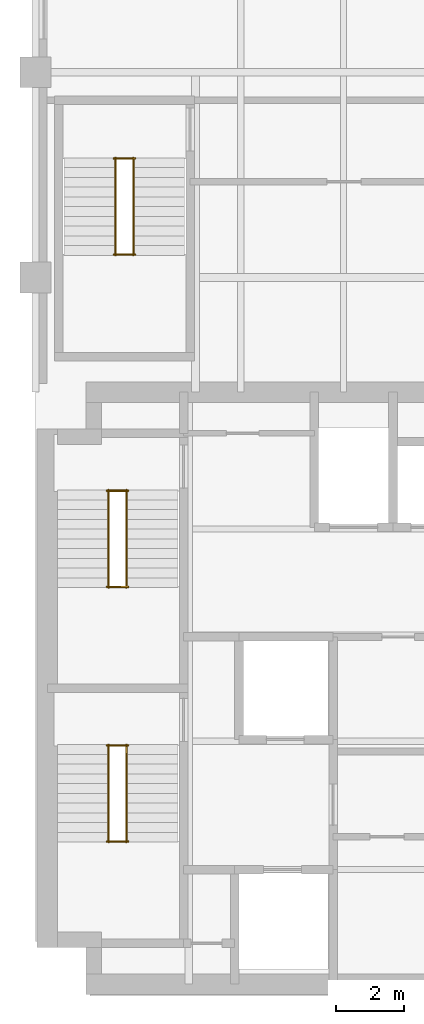
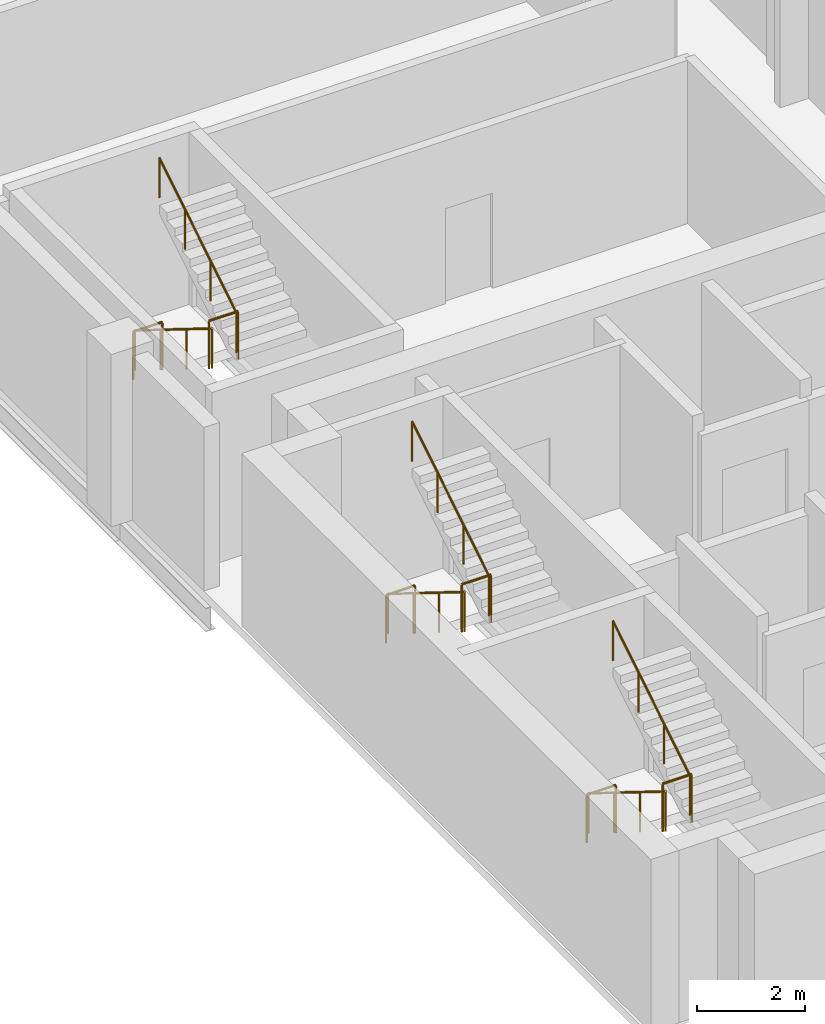
# One storey, part 6 of 6: 12 railings.
"""IFC4 building model written with IfcOpenShell, lengths in metres."""

import ifcopenshell
import ifcopenshell.guid

model = None  # the IFC model being written
_history = None  # IfcOwnerHistory: only IFC2X3 demands one
_inside = {}  # id of a spatial element -> (the spatial element, [elements in it])
_under = {}  # id of a project, library or spatial element -> (it, [spatial elements below it])
_declared = {}  # id of a project -> (the project, [libraries it declares])
_typed = {}  # id of a type object -> (the type object, [elements of that type])
_made_of = {}  # id of a material, layer set ... -> (it, [elements and type objects made of it])


def new_model(schema):
    """Start an empty IFC model of exactly this schema.

    Asked for "IFC4X3", IfcOpenShell would pick the latest addendum, in which some entities
    have other attributes; the version numbers below select the first issue.
    IFC2X3 requires an IfcOwnerHistory on every rooted entity: one is made here for all.
    """
    global model, _history
    if schema == "IFC4X3":
        model = ifcopenshell.file(schema_version=(4, 3, 0, 0))
    else:
        model = ifcopenshell.file(schema=schema)
    _inside.clear()
    _under.clear()
    _declared.clear()
    _typed.clear()
    _made_of.clear()
    _history = None
    if model.schema == "IFC2X3":
        org = make("IfcOrganization", Name="unknown")
        user = make(
            "IfcPersonAndOrganization",
            ThePerson=make("IfcPerson", FamilyName="unknown"),
            TheOrganization=org,
        )
        app = make(
            "IfcApplication",
            ApplicationDeveloper=org,
            Version="unknown",
            ApplicationFullName="unknown",
            ApplicationIdentifier="unknown",
        )
        _history = make(
            "IfcOwnerHistory",
            OwningUser=user,
            OwningApplication=app,
            ChangeAction="ADDED",
            CreationDate=0,
        )
    return model


def make(cls, **values):
    """One entity of the class cls with the attributes given. An attribute that is None is left unset."""
    return model.create_entity(
        cls, **{name: value for name, value in values.items() if value is not None}
    )


def rooted(cls, **values):
    """An entity with a GlobalId (a new one), such as an element, a storey or a relation."""
    return make(cls, GlobalId=ifcopenshell.guid.new(), OwnerHistory=_history, **values)


def si_unit(unit_type, name, prefix=None):
    """IfcSIUnit, for example si_unit("LENGTHUNIT", "METRE", prefix="MILLI")."""
    return make("IfcSIUnit", UnitType=unit_type, Prefix=prefix, Name=name)


def assignment(units):
    """IfcUnitAssignment: the units of a project."""
    return None if units is None else make("IfcUnitAssignment", Units=units)


def point(xyz):
    """IfcCartesianPoint."""
    return None if xyz is None else make("IfcCartesianPoint", Coordinates=xyz)


def direction(xyz):
    """IfcDirection."""
    return None if xyz is None else make("IfcDirection", DirectionRatios=xyz)


def frame(location, z_axis=None, x_axis=None):
    """IfcAxis2Placement3D, a coordinate frame: its origin and axes. An axis left out is left unset."""
    return make(
        "IfcAxis2Placement3D",
        Location=point(location),
        Axis=direction(z_axis),
        RefDirection=direction(x_axis),
    )


def frame_2d(location, x_axis=None):
    """IfcAxis2Placement2D, a coordinate frame in the plane: its origin and x axis."""
    return make(
        "IfcAxis2Placement2D", Location=point(location), RefDirection=direction(x_axis)
    )


def origin():
    """The frame at (0, 0, 0) with its axes left unset."""
    return frame((0.0, 0.0, 0.0))


def origin_2d():
    """The frame at (0, 0) in the plane with its x axis left unset."""
    return frame_2d((0.0, 0.0))


def place(relative_to, where):
    """IfcLocalPlacement: puts the frame where relative to a parent placement (None: the world)."""
    return make(
        "IfcLocalPlacement", PlacementRelTo=relative_to, RelativePlacement=where
    )


def context(
    kind, dimensions, precision=None, world=None, true_north=None, identifier=None
):
    """IfcGeometricRepresentationContext, for example the 3D "Model" context."""
    return make(
        "IfcGeometricRepresentationContext",
        ContextIdentifier=identifier,
        ContextType=kind,
        CoordinateSpaceDimension=dimensions,
        Precision=precision,
        WorldCoordinateSystem=world,
        TrueNorth=true_north,
    )


def subcontext(parent, identifier, kind, view, scale=None):
    """IfcGeometricRepresentationSubContext, for example "Body" below "Model"."""
    return make(
        "IfcGeometricRepresentationSubContext",
        ContextIdentifier=identifier,
        ContextType=kind,
        ParentContext=parent,
        TargetScale=scale,
        TargetView=view,
    )


def project(units=None, contexts=None):
    """IfcProject with its units and contexts."""
    return rooted(
        "IfcProject",
        Name="project",
        RepresentationContexts=contexts,
        UnitsInContext=assignment(units),
    )


def spatial(cls, under=None, at=None, **own):
    """A site, building, storey or space (cls), placed at a placement, below another one or the project."""
    s = rooted(cls, ObjectPlacement=at, **own)
    if under is not None:
        _under.setdefault(under.id(), (under, []))[1].append(s)
    return s


def profile(cls, at=None, kind="AREA", **sizes):
    """A parametric profile (cls). Its sizes go by their IFC names, for example OverallWidth=200.0."""
    return make(cls, ProfileType=kind, Position=at, **sizes)


def circle(**sizes):
    """IfcCircleProfileDef."""
    return profile("IfcCircleProfileDef", **sizes)


def extrude(swept, where, along, depth):
    """IfcExtrudedAreaSolid: the profile swept, set in the frame where, extruded along a direction by depth."""
    return make(
        "IfcExtrudedAreaSolid",
        SweptArea=swept,
        Position=where,
        ExtrudedDirection=direction(along),
        Depth=depth,
    )


def shape(context_of_items, identifier, shape_type, items):
    """IfcShapeRepresentation: the items that make up one representation, for example the "Body"."""
    return make(
        "IfcShapeRepresentation",
        ContextOfItems=context_of_items,
        RepresentationIdentifier=identifier,
        RepresentationType=shape_type,
        Items=items,
    )


def material(Name=None, Category=None):
    """IfcMaterial."""
    return make("IfcMaterial", Name=Name, Category=Category)


def made_of(thing, what):
    """Note that an element or type object is made of a material, layer set ...; save() writes the relation."""
    if what is not None:
        _made_of.setdefault(what.id(), (what, []))[1].append(thing)
    return thing


def type_object(cls, material=None, **own):
    """A type object (cls), such as IfcWallType, which elements share."""
    return made_of(rooted(cls, **own), material)


def element(
    cls,
    number,
    at=None,
    inside=None,
    cuts=None,
    type_object=None,
    material=None,
    context=None,
    identifier="Body",
    shape_type=None,
    held_by="IfcProductDefinitionShape",
    body=None,
    shapes=None,
    **own,
):
    """One element of the class cls, such as IfcWall. Its Tag is "e" and its number.

    at: its placement. inside: the storey or other place that contains it. cuts: it is an
    opening in that element (IfcRelVoidsElement). A single representation is given by context,
    identifier, shape_type and body (its items); several are given by shapes. held_by: the class
    of the entity that holds the representations. save() writes the other relations.
    """
    e = rooted(cls, Tag="e%d" % number, ObjectPlacement=at, **own)
    if body is not None:
        shapes = [shape(context, identifier, shape_type, body)]
    if shapes is not None:
        e.Representation = make(held_by, Representations=shapes)
    if inside is not None:
        _inside.setdefault(inside.id(), (inside, []))[1].append(e)
    if cuts is not None:
        rooted(
            "IfcRelVoidsElement", RelatingBuildingElement=cuts, RelatedOpeningElement=e
        )
    if type_object is not None:
        _typed.setdefault(type_object.id(), (type_object, []))[1].append(e)
    return made_of(e, material)


def aggregate(whole, parts):
    """IfcRelAggregates: a whole, such as a stair, and the parts it consists of."""
    return rooted("IfcRelAggregates", RelatingObject=whole, RelatedObjects=parts)


def save(model, path):
    """Write the relations noted so far, then the file.

    IfcRelAggregates (storeys below a building ...), IfcRelContainedInSpatialStructure (elements
    in a storey), IfcRelDefinesByType, IfcRelAssociatesMaterial and IfcRelDeclares: one each for
    every whole, place, type object, material and project.
    """
    for whole, parts in _under.values():
        aggregate(whole, parts)
    for where, things in _inside.values():
        rooted(
            "IfcRelContainedInSpatialStructure",
            RelatedElements=things,
            RelatingStructure=where,
        )
    for kind, things in _typed.values():
        rooted("IfcRelDefinesByType", RelatedObjects=things, RelatingType=kind)
    for what, things in _made_of.values():
        rooted("IfcRelAssociatesMaterial", RelatedObjects=things, RelatingMaterial=what)
    for by, libraries in _declared.values():
        rooted("IfcRelDeclares", RelatingContext=by, RelatedDefinitions=libraries)
    model.write(path)


model = new_model("IFC4")

# Units and contexts
model_context = context("Model", 3, precision=1e-05, world=origin(), true_north=direction((0.0, 1.0)))
body_context = subcontext(model_context, "Body", "Model", "MODEL_VIEW")
ifc_project = project(units=[si_unit("LENGTHUNIT", "METRE"), si_unit("AREAUNIT", "SQUARE_METRE"), si_unit("VOLUMEUNIT", "CUBIC_METRE"), si_unit("PLANEANGLEUNIT", "RADIAN"), si_unit("MASSUNIT", "GRAM", prefix="KILO")], contexts=[model_context])

# Site, building, storey
site_placement = place(None, origin())
site = spatial("IfcSite", under=ifc_project, at=site_placement, CompositionType="ELEMENT")
building_placement = place(site_placement, origin())
building = spatial("IfcBuilding", under=site, at=building_placement, Name="Mawjdan Bourse Tower", CompositionType="ELEMENT")
storey_placement = place(building_placement, frame((0.0, 0.0, 207.300048828125)))
storey = spatial("IfcBuildingStorey", under=building, at=storey_placement, Name="L50", CompositionType="ELEMENT", Elevation=207.300048828125)

# Railings
ifc_material_1 = material(Name="Structural Steel S355", Category="steel")
railing_type_1 = type_object("IfcRailingType", Name="RLG-GRD-1100", PredefinedType="GUARDRAIL", material=ifc_material_1)
for number, where, name in (
    (1, (8.090087890625, 7.52001953125, 1.949951171875), "L50 ST1 Landing Guardrail GL-MID"),
    (2, (8.090087890625, 10.330078125, 0.0), "L50 ST1 Landing Guardrail GL-BOT"),
    (3, (8.090087890625, 14.9599609375, 1.949951171875), "L50 ST2 Landing Guardrail GL-MID"),
    (4, (8.090087890625, 17.77001953125, 0.0), "L50 ST2 Landing Guardrail GL-BOT"),
    (5, (8.2900390625, 24.669921875, 1.949951171875), "L50 ST3 Landing Guardrail GL-MID"),
    (6, (8.2900390625, 27.47998046875, 0.0), "L50 ST3 Landing Guardrail GL-BOT"),
):
    element("IfcRailing", number, at=place(storey_placement, frame(where)), inside=storey, type_object=railing_type_1, Name=name, PredefinedType="GUARDRAIL", context=body_context, shape_type="SweptSolid", body=[
        extrude(circle(Radius=0.02490234375, at=origin_2d()), frame((0.0, 0.0, 1.0751953125), z_axis=(1.0, 0.0, 0.0), x_axis=(0.0, 1.0, 0.0)), (0.0, 0.0, 1.0), 0.619873046875),
        extrude(circle(Radius=0.02099609375, at=origin_2d()), origin(), (0.0, 0.0, 1.0), 1.050048828125),
        extrude(circle(Radius=0.02099609375, at=origin_2d()), frame((0.619873046875, 0.0, 0.0)), (0.0, 0.0, 1.0), 1.050048828125),
    ])
ifc_material_2 = material(Name="Brushed Stainless Steel", Category="steel")
railing_type_2 = type_object("IfcRailingType", Name="RLG-HND-920", PredefinedType="HANDRAIL", material=ifc_material_2)
railing_1_placement = place(storey_placement, frame((8.139892578125, 10.35009765625, 0.17724609375)))
element("IfcRailing", 7, at=railing_1_placement, inside=storey, type_object=railing_type_2, Name="L50 ST1 Flight Handrail HR1", PredefinedType="HANDRAIL", context=body_context, shape_type="SweptSolid", body=[
    extrude(circle(Radius=0.0224609375, at=origin_2d()), frame((0.0, 0.0, 0.8974609375), z_axis=(0.0, -0.849148672731, 0.528153890072), x_axis=(1.0, 0.0, 0.0)), (0.0, 0.0, 1.0), 3.3564453125),
    extrude(circle(Radius=0.01904296875, at=origin_2d()), origin(), (0.0, 0.0, 1.0), 0.875),
    extrude(circle(Radius=0.01904296875, at=origin_2d()), frame((0.0, -0.949951171875, 0.5908203125)), (0.0, 0.0, 1.0), 0.875),
    extrude(circle(Radius=0.01904296875, at=origin_2d()), frame((0.0, -1.900146484375, 1.181884765625)), (0.0, 0.0, 1.0), 0.875),
    extrude(circle(Radius=0.01904296875, at=origin_2d()), frame((0.0, -2.85009765625, 1.772705078125)), (0.0, 0.0, 1.0), 0.875),
])
railing_2_placement = place(storey_placement, frame((8.659912109375, 7.5, 2.127197265625)))
element("IfcRailing", 8, at=railing_2_placement, inside=storey, type_object=railing_type_2, Name="L50 ST1 Flight Handrail HR2", PredefinedType="HANDRAIL", context=body_context, shape_type="SweptSolid", body=[
    extrude(circle(Radius=0.0224609375, at=origin_2d()), frame((0.0, 0.0, 0.8974609375), z_axis=(0.0, 0.849148672731, 0.528153890072), x_axis=(-1.0, 0.0, 0.0)), (0.0, 0.0, 1.0), 3.3564453125),
    extrude(circle(Radius=0.01904296875, at=origin_2d()), origin(), (0.0, 0.0, 1.0), 0.875),
    extrude(circle(Radius=0.01904296875, at=origin_2d()), frame((0.0, 0.949951171875, 0.5908203125)), (0.0, 0.0, 1.0), 0.875),
    extrude(circle(Radius=0.01904296875, at=origin_2d()), frame((0.0, 1.900146484375, 1.181884765625)), (0.0, 0.0, 1.0), 0.875),
    extrude(circle(Radius=0.01904296875, at=origin_2d()), frame((0.0, 2.85009765625, 1.772705078125)), (0.0, 0.0, 1.0), 0.875),
])
railing_3_placement = place(storey_placement, frame((8.139892578125, 17.7900390625, 0.17724609375)))
element("IfcRailing", 9, at=railing_3_placement, inside=storey, type_object=railing_type_2, Name="L50 ST2 Flight Handrail HR1", PredefinedType="HANDRAIL", context=body_context, shape_type="SweptSolid", body=[
    extrude(circle(Radius=0.0224609375, at=origin_2d()), frame((0.0, 0.0, 0.8974609375), z_axis=(0.0, -0.849148672731, 0.528153890072), x_axis=(1.0, 0.0, 0.0)), (0.0, 0.0, 1.0), 3.3564453125),
    extrude(circle(Radius=0.01904296875, at=origin_2d()), origin(), (0.0, 0.0, 1.0), 0.875),
    extrude(circle(Radius=0.01904296875, at=origin_2d()), frame((0.0, -0.949951171875, 0.5908203125)), (0.0, 0.0, 1.0), 0.875),
    extrude(circle(Radius=0.01904296875, at=origin_2d()), frame((0.0, -1.900146484375, 1.181884765625)), (0.0, 0.0, 1.0), 0.875),
    extrude(circle(Radius=0.01904296875, at=origin_2d()), frame((0.0, -2.85009765625, 1.772705078125)), (0.0, 0.0, 1.0), 0.875),
])
railing_4_placement = place(storey_placement, frame((8.659912109375, 14.93994140625, 2.127197265625)))
element("IfcRailing", 10, at=railing_4_placement, inside=storey, type_object=railing_type_2, Name="L50 ST2 Flight Handrail HR2", PredefinedType="HANDRAIL", context=body_context, shape_type="SweptSolid", body=[
    extrude(circle(Radius=0.0224609375, at=origin_2d()), frame((0.0, 0.0, 0.8974609375), z_axis=(0.0, 0.849148672731, 0.528153890072), x_axis=(-1.0, 0.0, 0.0)), (0.0, 0.0, 1.0), 3.3564453125),
    extrude(circle(Radius=0.01904296875, at=origin_2d()), origin(), (0.0, 0.0, 1.0), 0.875),
    extrude(circle(Radius=0.01904296875, at=origin_2d()), frame((0.0, 0.949951171875, 0.5908203125)), (0.0, 0.0, 1.0), 0.875),
    extrude(circle(Radius=0.01904296875, at=origin_2d()), frame((0.0, 1.900146484375, 1.181884765625)), (0.0, 0.0, 1.0), 0.875),
    extrude(circle(Radius=0.01904296875, at=origin_2d()), frame((0.0, 2.85009765625, 1.772705078125)), (0.0, 0.0, 1.0), 0.875),
])
railing_5_placement = place(storey_placement, frame((8.340087890625, 27.5, 0.17724609375)))
element("IfcRailing", 11, at=railing_5_placement, inside=storey, type_object=railing_type_2, Name="L50 ST3 Flight Handrail HR1", PredefinedType="HANDRAIL", context=body_context, shape_type="SweptSolid", body=[
    extrude(circle(Radius=0.0224609375, at=origin_2d()), frame((0.0, 0.0, 0.8974609375), z_axis=(0.0, -0.849148672731, 0.528153890072), x_axis=(1.0, 0.0, 0.0)), (0.0, 0.0, 1.0), 3.3564453125),
    extrude(circle(Radius=0.01904296875, at=origin_2d()), origin(), (0.0, 0.0, 1.0), 0.875),
    extrude(circle(Radius=0.01904296875, at=origin_2d()), frame((0.0, -0.949951171875, 0.5908203125)), (0.0, 0.0, 1.0), 0.875),
    extrude(circle(Radius=0.01904296875, at=origin_2d()), frame((0.0, -1.900146484375, 1.181884765625)), (0.0, 0.0, 1.0), 0.875),
    extrude(circle(Radius=0.01904296875, at=origin_2d()), frame((0.0, -2.85009765625, 1.772705078125)), (0.0, 0.0, 1.0), 0.875),
])
railing_6_placement = place(storey_placement, frame((8.860107421875, 24.64990234375, 2.127197265625)))
element("IfcRailing", 12, at=railing_6_placement, inside=storey, type_object=railing_type_2, Name="L50 ST3 Flight Handrail HR2", PredefinedType="HANDRAIL", context=body_context, shape_type="SweptSolid", body=[
    extrude(circle(Radius=0.0224609375, at=origin_2d()), frame((0.0, 0.0, 0.8974609375), z_axis=(0.0, 0.849148672731, 0.528153890072), x_axis=(-1.0, 0.0, 0.0)), (0.0, 0.0, 1.0), 3.3564453125),
    extrude(circle(Radius=0.01904296875, at=origin_2d()), origin(), (0.0, 0.0, 1.0), 0.875),
    extrude(circle(Radius=0.01904296875, at=origin_2d()), frame((0.0, 0.949951171875, 0.5908203125)), (0.0, 0.0, 1.0), 0.875),
    extrude(circle(Radius=0.01904296875, at=origin_2d()), frame((0.0, 1.900146484375, 1.181884765625)), (0.0, 0.0, 1.0), 0.875),
    extrude(circle(Radius=0.01904296875, at=origin_2d()), frame((0.0, 2.85009765625, 1.772705078125)), (0.0, 0.0, 1.0), 0.875),
])

save(model, "model.ifc")
